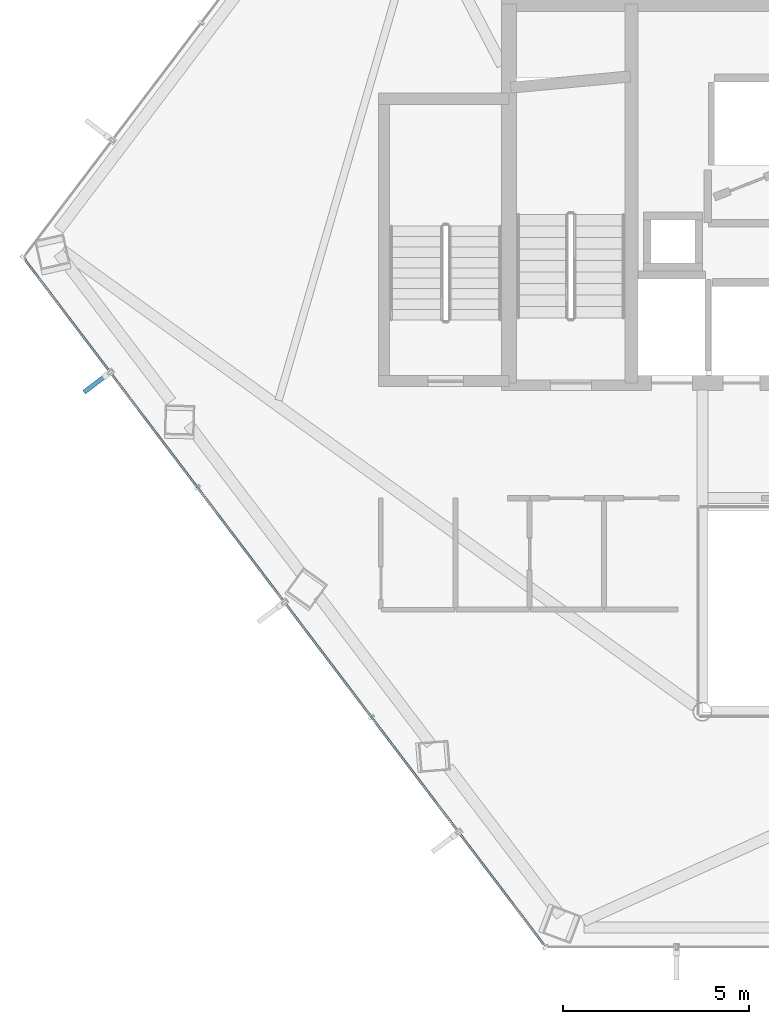
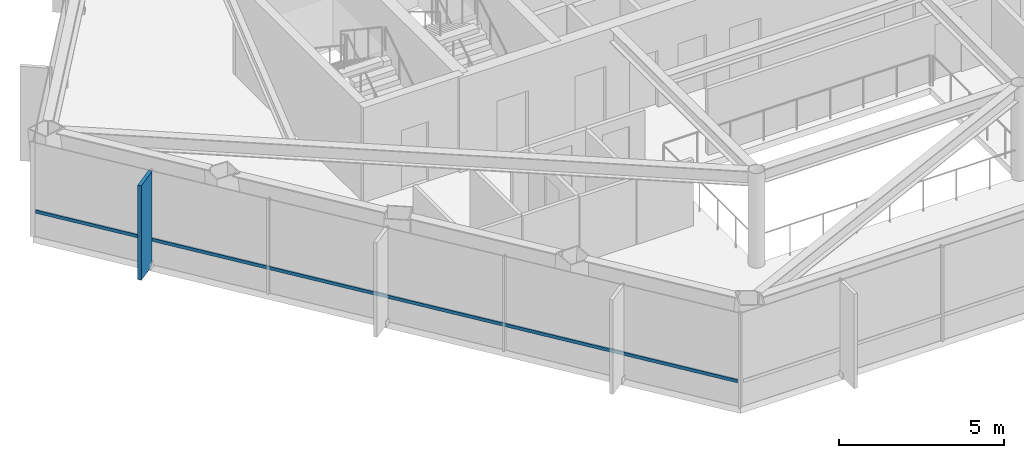
# One storey, part 3 of 30: 2 members, 1 element without a shape of its own.
"""IFC4 building model written with IfcOpenShell, lengths in metres."""

from ifc_helpers import new_model, si_unit, direction, frame, origin, origin_2d, place, context, subcontext, project, spatial, rectangle, hollow_rectangle, extrude, material, layer, layer_set, material_profile, profile_set, type_object, element, aggregate, save


model = new_model("IFC4")

# Units and contexts
model_context = context("Model", 3, precision=1e-05, world=origin(), true_north=direction((0.0, 1.0)))
body_context = subcontext(model_context, "Body", "Model", "MODEL_VIEW")
ifc_project = project(units=[si_unit("LENGTHUNIT", "METRE"), si_unit("AREAUNIT", "SQUARE_METRE"), si_unit("VOLUMEUNIT", "CUBIC_METRE"), si_unit("PLANEANGLEUNIT", "RADIAN"), si_unit("MASSUNIT", "GRAM", prefix="KILO")], contexts=[model_context])

# Site, building, storey
site_placement = place(None, origin())
site = spatial("IfcSite", under=ifc_project, at=site_placement, CompositionType="ELEMENT")
building_placement = place(site_placement, origin())
building = spatial("IfcBuilding", under=site, at=building_placement, Name="Zarrinselat Tower", CompositionType="ELEMENT")
storey_placement = place(building_placement, frame((0.0, 0.0, 130.89990234375)))
storey = spatial("IfcBuildingStorey", under=building, at=storey_placement, Name="L31", CompositionType="ELEMENT", Elevation=130.89990234375)

# Curtain wall, members
ifc_material_1 = material(Name="Extruded Aluminium Alloy EN AW-6063 T6", Category="aluminium")
ifc_layer = layer(ifc_material_1, 0.175048828125)
ifc_layer_set = layer_set([ifc_layer], Name="Extruded Aluminium Alloy EN AW-6063 T6")
curtain_wall_type = type_object("IfcCurtainWallType", Name="CWS-HTL", PredefinedType="NOTDEFINED", material=ifc_layer_set)
curtain_wall_placement = place(storey_placement, origin())
curtain_wall = element("IfcCurtainWall", 1, at=curtain_wall_placement, inside=storey, type_object=curtain_wall_type, Name="L31 Unitised Curtain Wall CW-L31-E03", PredefinedType="NOTDEFINED")
ifc_material_2 = material(Name="Extruded Aluminium Alloy EN AW-6063 T6", Category="aluminium")
ifc_material_profile_1 = material_profile(ifc_material_2, hollow_rectangle(XDim=0.06005859375, YDim=0.1201171875, WallThickness=0.00390625, at=origin_2d()), Name="RHS 120x60x4")
ifc_profile_set_1 = profile_set([ifc_material_profile_1], Name="Extruded Aluminium Alloy EN AW-6063 T6")
member_type_1 = type_object("IfcMemberType", Name="MEM-CW-TRN2", PredefinedType="USERDEFINED", material=ifc_profile_set_1)
member_1_placement = place(storey_placement, frame((15.57373046875, 36.55712890625, 0.9501953125), z_axis=(0.60386236649, -0.797088603818, 0.0), x_axis=(0.797088603818, 0.60386236649, 0.0)))
member_1 = element("IfcMember", 2, at=member_1_placement, type_object=member_type_1, Name="CW-L31-E03 Transom 1", ObjectType="TRANSOM", PredefinedType="USERDEFINED", context=body_context, shape_type="SweptSolid", body=[
    extrude(hollow_rectangle(XDim=0.06005859375, YDim=0.1201171875, WallThickness=0.00390625, at=origin_2d()), origin(), (0.0, 0.0, 1.0), 23.108154296875),
])
ifc_material_3 = material(Name="Honed Cream Travertine Stone", Category="masonry")
ifc_material_profile_2 = material_profile(ifc_material_3, rectangle(XDim=0.1201171875, YDim=0.85009765625, at=origin_2d()), Name="FIN 850x120")
ifc_profile_set_2 = profile_set([ifc_material_profile_2], Name="Honed Cream Travertine Stone")
member_type_2 = type_object("IfcMemberType", Name="MEM-STONE-FIN", PredefinedType="USERDEFINED", material=ifc_profile_set_2)
member_2_placement = place(storey_placement, frame((17.49658203125, 33.25732421875, 0.0), z_axis=(0.0, 0.0, 1.0), x_axis=(-0.603858349394, 0.797091647094, 0.0)))
member_2 = element("IfcMember", 3, at=member_2_placement, type_object=member_type_2, Name="L31 Stone Shading Fin CW-L31-E03-01", ObjectType="FIN", PredefinedType="USERDEFINED", context=body_context, shape_type="SweptSolid", body=[
    extrude(rectangle(XDim=0.1201171875, YDim=0.85009765625, at=origin_2d()), origin(), (0.0, 0.0, 1.0), 3.5),
])
aggregate(curtain_wall, [member_2, member_1])

save(model, "model.ifc")
